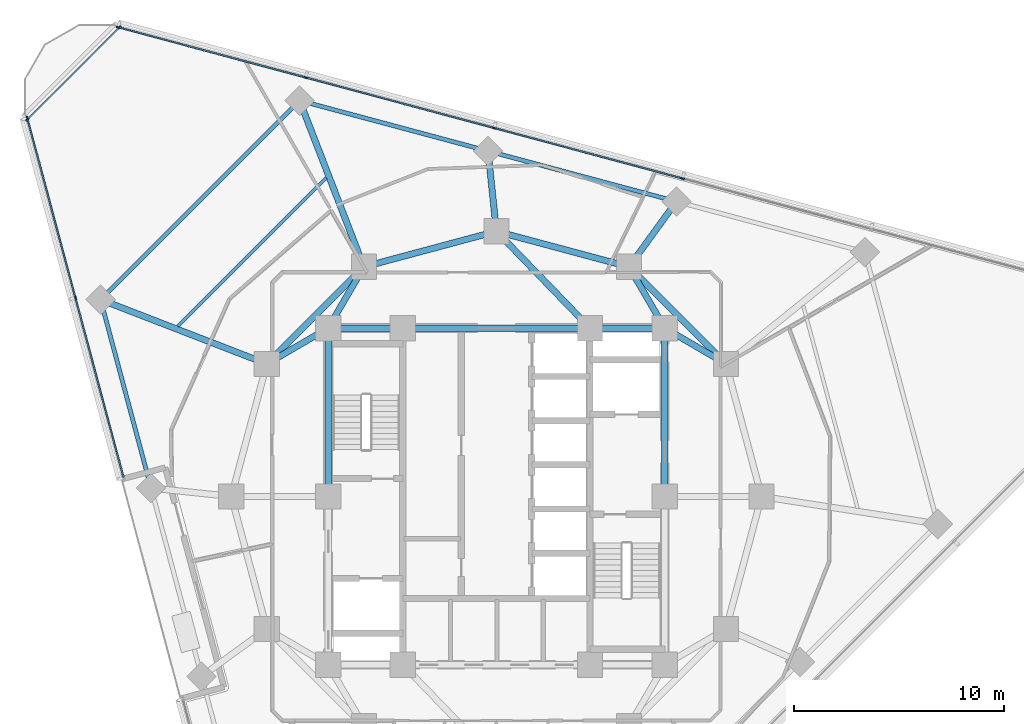
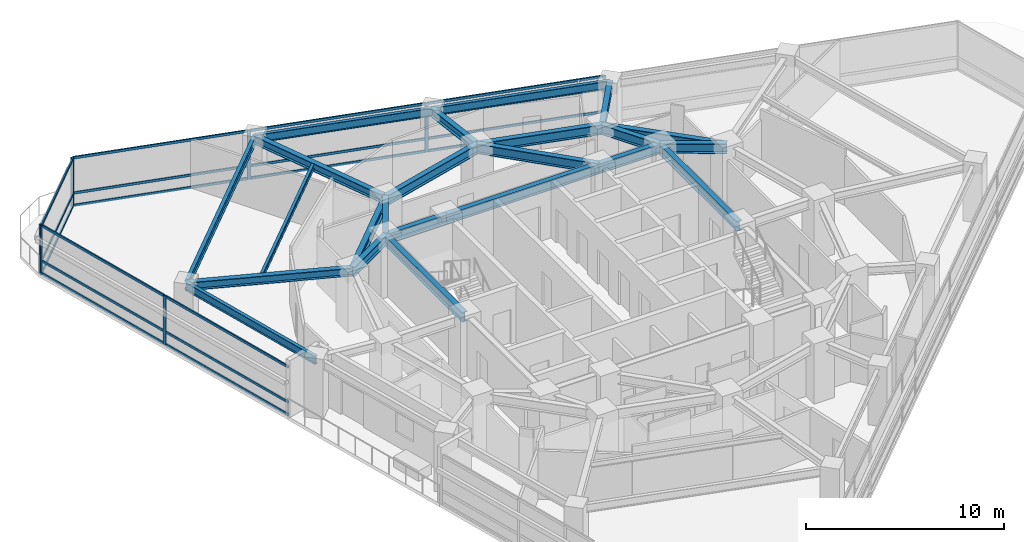
# One storey, part 4 of 14: 26 members, 23 beams, 3 elements without a shape of their own.
"""IFC4 building model written with IfcOpenShell, lengths in metres."""

from ifc_helpers import new_model, si_unit, direction, frame, origin, origin_2d, place, context, subcontext, project, spatial, rectangle, i_section, extrude, material, layer, layer_set, material_profile, profile_set, type_object, element, aggregate, save


model = new_model("IFC4")

# Units and contexts
model_context = context("Model", 3, precision=1e-05, world=origin(), true_north=direction((0.0, 1.0)))
body_context = subcontext(model_context, "Body", "Model", "MODEL_VIEW")
ifc_project = project(units=[si_unit("LENGTHUNIT", "METRE"), si_unit("AREAUNIT", "SQUARE_METRE"), si_unit("VOLUMEUNIT", "CUBIC_METRE"), si_unit("PLANEANGLEUNIT", "RADIAN"), si_unit("MASSUNIT", "GRAM", prefix="KILO")], contexts=[model_context])

# Site, building, storey
site_placement = place(None, origin())
site = spatial("IfcSite", under=ifc_project, at=site_placement, CompositionType="ELEMENT")
building_placement = place(site_placement, origin())
building = spatial("IfcBuilding", under=site, at=building_placement, Name="Terralouvre Media Tower", CompositionType="ELEMENT")
storey_placement = place(building_placement, frame((0.0, 0.0, 206.39990234375)))
storey = spatial("IfcBuildingStorey", under=building, at=storey_placement, Name="L53", CompositionType="ELEMENT", Elevation=206.39990234375)

# Beam
ifc_material_1 = material(Name="Structural steel S355J2", Category="steel")
ifc_material_profile_1 = material_profile(ifc_material_1, i_section(OverallWidth=0.159912109375, OverallDepth=0.330078125, WebThickness=0.007568359375, FlangeThickness=0.011474609375, at=origin_2d()), Name="IPE 330")
ifc_profile_set_1 = profile_set([ifc_material_profile_1], Name="Structural steel S355J2")
beam_type_1 = type_object("IfcBeamType", Name="Composite Floor Joist J-IPE330 (IPE 330)", PredefinedType="JOIST", material=ifc_profile_set_1)
beam_1_placement = place(storey_placement, frame((-8.095947265625, 15.14453125, 3.335205078125), z_axis=(-0.707106781187, -0.707106781187, 0.0), x_axis=(0.707106781187, -0.707106781187, 0.0)))
element("IfcBeam", 1, at=beam_1_placement, inside=storey, type_object=beam_type_1, Name="L53 Framing Beam JT-L53-05", PredefinedType="JOIST", context=body_context, shape_type="SweptSolid", body=[
    extrude(i_section(OverallWidth=0.159912109375, OverallDepth=0.330078125, WebThickness=0.007568359375, FlangeThickness=0.011474609375, at=origin_2d()), origin(), (0.0, 0.0, 1.0), 9.96826171875),
])

# Curtain wall, members
ifc_material_2 = material(Name="Low-iron laminated double glazing with solar-control coating", Category="glass")
ifc_layer_1 = layer(ifc_material_2, 0.1650390625, Name="Production Studio Tower Curtain Wall CW-03")
ifc_layer_set_1 = layer_set([ifc_layer_1], Name="Low-iron laminated double glazing with solar-control coating")
curtain_wall_type_1 = type_object("IfcCurtainWallType", Name="Production Studio Tower Curtain Wall CW-03", PredefinedType="NOTDEFINED", material=ifc_layer_set_1)
curtain_wall_1_placement = place(storey_placement, origin())
curtain_wall_1 = element("IfcCurtainWall", 2, at=curtain_wall_1_placement, inside=storey, type_object=curtain_wall_type_1, Name="L53 Facade Curtain Wall F1", PredefinedType="NOTDEFINED")
ifc_material_3 = material(Name="Anodised extruded aluminium 6063-T6", Category="aluminium")
ifc_material_profile_2 = material_profile(ifc_material_3, rectangle(XDim=0.074951171875, YDim=0.14990234375, at=origin_2d()), Name="ALU 75x150")
ifc_profile_set_2 = profile_set([ifc_material_profile_2], Name="Anodised extruded aluminium 6063-T6")
member_type_1 = type_object("IfcMemberType", Name="Curtain-Wall Horizontal Transom TR-150", PredefinedType="USERDEFINED", material=ifc_profile_set_2)
member_1_placement = place(storey_placement, frame((8.8115234375, 15.117431640625, 0.03759765625), z_axis=(-0.965926723605, 0.25881569625, 0.0), x_axis=(-0.25881569625, -0.965926723605, 0.0)))
member_1 = element("IfcMember", 3, at=member_1_placement, type_object=member_type_1, Name="CW-03 transom 3.1", ObjectType="TRANSOM", PredefinedType="USERDEFINED", context=body_context, shape_type="SweptSolid", body=[
    extrude(rectangle(XDim=0.074951171875, YDim=0.14990234375, at=origin_2d()), origin(), (0.0, 0.0, 1.0), 9.197265625),
])
member_2_placement = place(storey_placement, frame((8.8115234375, 15.117431640625, 0.800048828125), z_axis=(-0.965926723605, 0.25881569625, 0.0), x_axis=(-0.25881569625, -0.965926723605, 0.0)))
member_2 = element("IfcMember", 4, at=member_2_placement, type_object=member_type_1, Name="CW-03 transom 3.2", ObjectType="TRANSOM", PredefinedType="USERDEFINED", context=body_context, shape_type="SweptSolid", body=[
    extrude(rectangle(XDim=0.074951171875, YDim=0.14990234375, at=origin_2d()), origin(), (0.0, 0.0, 1.0), 9.197265625),
])
member_3_placement = place(storey_placement, frame((8.8115234375, 15.117431640625, 2.962646484375), z_axis=(-0.965926723605, 0.25881569625, 0.0), x_axis=(-0.25881569625, -0.965926723605, 0.0)))
member_3 = element("IfcMember", 5, at=member_3_placement, type_object=member_type_1, Name="CW-03 transom 3.3", ObjectType="TRANSOM", PredefinedType="USERDEFINED", context=body_context, shape_type="SweptSolid", body=[
    extrude(rectangle(XDim=0.074951171875, YDim=0.14990234375, at=origin_2d()), origin(), (0.0, 0.0, 1.0), 9.197265625),
])
member_4_placement = place(storey_placement, frame((-0.14453125, 17.517333984375, 0.03759765625), z_axis=(-0.965926723605, 0.25881569625, 0.0), x_axis=(-0.25881569625, -0.965926723605, 0.0)))
member_4 = element("IfcMember", 6, at=member_4_placement, type_object=member_type_1, Name="CW-03 transom 4.1", ObjectType="TRANSOM", PredefinedType="USERDEFINED", context=body_context, shape_type="SweptSolid", body=[
    extrude(rectangle(XDim=0.074951171875, YDim=0.14990234375, at=origin_2d()), origin(), (0.0, 0.0, 1.0), 9.197265625),
])
member_5_placement = place(storey_placement, frame((-0.14453125, 17.517333984375, 0.800048828125), z_axis=(-0.965926723605, 0.25881569625, 0.0), x_axis=(-0.25881569625, -0.965926723605, 0.0)))
member_5 = element("IfcMember", 7, at=member_5_placement, type_object=member_type_1, Name="CW-03 transom 4.2", ObjectType="TRANSOM", PredefinedType="USERDEFINED", context=body_context, shape_type="SweptSolid", body=[
    extrude(rectangle(XDim=0.074951171875, YDim=0.14990234375, at=origin_2d()), origin(), (0.0, 0.0, 1.0), 9.197265625),
])
member_6_placement = place(storey_placement, frame((-0.14453125, 17.517333984375, 2.962646484375), z_axis=(-0.965926723605, 0.25881569625, 0.0), x_axis=(-0.25881569625, -0.965926723605, 0.0)))
member_6 = element("IfcMember", 8, at=member_6_placement, type_object=member_type_1, Name="CW-03 transom 4.3", ObjectType="TRANSOM", PredefinedType="USERDEFINED", context=body_context, shape_type="SweptSolid", body=[
    extrude(rectangle(XDim=0.074951171875, YDim=0.14990234375, at=origin_2d()), origin(), (0.0, 0.0, 1.0), 9.197265625),
])
member_7_placement = place(storey_placement, frame((-9.1005859375, 19.9169921875, 0.03759765625), z_axis=(-0.965927230856, 0.25881380313, 0.0), x_axis=(-0.25881380313, -0.965927230856, 0.0)))
member_7 = element("IfcMember", 9, at=member_7_placement, type_object=member_type_1, Name="CW-03 transom 5.1", ObjectType="TRANSOM", PredefinedType="USERDEFINED", context=body_context, shape_type="SweptSolid", body=[
    extrude(rectangle(XDim=0.074951171875, YDim=0.14990234375, at=origin_2d()), origin(), (0.0, 0.0, 1.0), 9.159423828125),
])
member_8_placement = place(storey_placement, frame((-9.1005859375, 19.9169921875, 0.800048828125), z_axis=(-0.965927230856, 0.25881380313, 0.0), x_axis=(-0.25881380313, -0.965927230856, 0.0)))
member_8 = element("IfcMember", 10, at=member_8_placement, type_object=member_type_1, Name="CW-03 transom 5.2", ObjectType="TRANSOM", PredefinedType="USERDEFINED", context=body_context, shape_type="SweptSolid", body=[
    extrude(rectangle(XDim=0.074951171875, YDim=0.14990234375, at=origin_2d()), origin(), (0.0, 0.0, 1.0), 9.159423828125),
])
member_9_placement = place(storey_placement, frame((-9.1005859375, 19.9169921875, 2.962646484375), z_axis=(-0.965927230856, 0.25881380313, 0.0), x_axis=(-0.25881380313, -0.965927230856, 0.0)))
member_9 = element("IfcMember", 11, at=member_9_placement, type_object=member_type_1, Name="CW-03 transom 5.3", ObjectType="TRANSOM", PredefinedType="USERDEFINED", context=body_context, shape_type="SweptSolid", body=[
    extrude(rectangle(XDim=0.074951171875, YDim=0.14990234375, at=origin_2d()), origin(), (0.0, 0.0, 1.0), 9.159423828125),
])

curtain_wall_2_placement = place(storey_placement, origin())
curtain_wall_2 = element("IfcCurtainWall", 12, at=curtain_wall_2_placement, inside=storey, type_object=curtain_wall_type_1, Name="L53 Left Flank Curtain Wall F2", PredefinedType="NOTDEFINED")
member_10_placement = place(storey_placement, frame((-22.28759765625, 17.947998046875, 0.03759765625), z_axis=(0.258817186823, -0.965926324212, 0.0), x_axis=(0.965926324212, 0.258817186823, 0.0)))
member_10 = element("IfcMember", 13, at=member_10_placement, type_object=member_type_1, Name="CW-03 transom 1.1", ObjectType="TRANSOM", PredefinedType="USERDEFINED", context=body_context, shape_type="SweptSolid", body=[
    extrude(rectangle(XDim=0.074951171875, YDim=0.14990234375, at=origin_2d()), origin(), (0.0, 0.0, 1.0), 8.77734375),
])
member_11_placement = place(storey_placement, frame((-22.28759765625, 17.947998046875, 0.800048828125), z_axis=(0.258817186823, -0.965926324212, 0.0), x_axis=(0.965926324212, 0.258817186823, 0.0)))
member_11 = element("IfcMember", 14, at=member_11_placement, type_object=member_type_1, Name="CW-03 transom 1.2", ObjectType="TRANSOM", PredefinedType="USERDEFINED", context=body_context, shape_type="SweptSolid", body=[
    extrude(rectangle(XDim=0.074951171875, YDim=0.14990234375, at=origin_2d()), origin(), (0.0, 0.0, 1.0), 8.77734375),
])
member_12_placement = place(storey_placement, frame((-22.28759765625, 17.947998046875, 2.962646484375), z_axis=(0.258817186823, -0.965926324212, 0.0), x_axis=(0.965926324212, 0.258817186823, 0.0)))
member_12 = element("IfcMember", 15, at=member_12_placement, type_object=member_type_1, Name="CW-03 transom 1.3", ObjectType="TRANSOM", PredefinedType="USERDEFINED", context=body_context, shape_type="SweptSolid", body=[
    extrude(rectangle(XDim=0.074951171875, YDim=0.14990234375, at=origin_2d()), origin(), (0.0, 0.0, 1.0), 8.77734375),
])
member_13_placement = place(storey_placement, frame((-19.99658203125, 9.397216796875, 0.03759765625), z_axis=(0.258810233336, -0.965928187352, 0.0), x_axis=(0.965928187352, 0.258810233336, 0.0)))
member_13 = element("IfcMember", 16, at=member_13_placement, type_object=member_type_1, Name="CW-03 transom 2.1", ObjectType="TRANSOM", PredefinedType="USERDEFINED", context=body_context, shape_type="SweptSolid", body=[
    extrude(rectangle(XDim=0.074951171875, YDim=0.14990234375, at=origin_2d()), origin(), (0.0, 0.0, 1.0), 8.777587890625),
])
member_14_placement = place(storey_placement, frame((-19.99658203125, 9.397216796875, 0.800048828125), z_axis=(0.258810233336, -0.965928187352, 0.0), x_axis=(0.965928187352, 0.258810233336, 0.0)))
member_14 = element("IfcMember", 17, at=member_14_placement, type_object=member_type_1, Name="CW-03 transom 2.2", ObjectType="TRANSOM", PredefinedType="USERDEFINED", context=body_context, shape_type="SweptSolid", body=[
    extrude(rectangle(XDim=0.074951171875, YDim=0.14990234375, at=origin_2d()), origin(), (0.0, 0.0, 1.0), 8.777587890625),
])
member_15_placement = place(storey_placement, frame((-19.99658203125, 9.397216796875, 2.962646484375), z_axis=(0.258810233336, -0.965928187352, 0.0), x_axis=(0.965928187352, 0.258810233336, 0.0)))
member_15 = element("IfcMember", 18, at=member_15_placement, type_object=member_type_1, Name="CW-03 transom 2.3", ObjectType="TRANSOM", PredefinedType="USERDEFINED", context=body_context, shape_type="SweptSolid", body=[
    extrude(rectangle(XDim=0.074951171875, YDim=0.14990234375, at=origin_2d()), origin(), (0.0, 0.0, 1.0), 8.777587890625),
])

ifc_material_4 = material(Name="Low-iron laminated double glazing with solar-control coating", Category="glass")
ifc_layer_2 = layer(ifc_material_4, 0.1650390625, Name="Rounded Wind-Corner Curved Glazing CW-04")
ifc_layer_set_2 = layer_set([ifc_layer_2], Name="Low-iron laminated double glazing with solar-control coating")
curtain_wall_type_2 = type_object("IfcCurtainWallType", Name="Rounded Wind-Corner Curved Glazing CW-04", PredefinedType="NOTDEFINED", material=ifc_layer_set_2)
curtain_wall_3_placement = place(storey_placement, origin())
curtain_wall_3 = element("IfcCurtainWall", 19, at=curtain_wall_3_placement, inside=storey, type_object=curtain_wall_type_2, Name="L53 Rounded Wind-Corner Curtain Wall C2", PredefinedType="NOTDEFINED")
member_16_placement = place(storey_placement, frame((-17.943603515625, 22.27099609375, 0.03759765625), z_axis=(-0.707106781187, -0.707106781187, 0.0), x_axis=(0.707106781187, -0.707106781187, 0.0)))
member_16 = element("IfcMember", 20, at=member_16_placement, type_object=member_type_1, Name="CW-04 transom 1.1", ObjectType="TRANSOM", PredefinedType="USERDEFINED", context=body_context, shape_type="SweptSolid", body=[
    extrude(rectangle(XDim=0.074951171875, YDim=0.14990234375, at=origin_2d()), origin(), (0.0, 0.0, 1.0), 6.119873046875),
])
member_17_placement = place(storey_placement, frame((-17.943603515625, 22.27099609375, 0.800048828125), z_axis=(-0.707106781187, -0.707106781187, 0.0), x_axis=(0.707106781187, -0.707106781187, 0.0)))
member_17 = element("IfcMember", 21, at=member_17_placement, type_object=member_type_1, Name="CW-04 transom 1.2", ObjectType="TRANSOM", PredefinedType="USERDEFINED", context=body_context, shape_type="SweptSolid", body=[
    extrude(rectangle(XDim=0.074951171875, YDim=0.14990234375, at=origin_2d()), origin(), (0.0, 0.0, 1.0), 6.119873046875),
])
member_18_placement = place(storey_placement, frame((-17.943603515625, 22.27099609375, 2.962646484375), z_axis=(-0.707106781187, -0.707106781187, 0.0), x_axis=(0.707106781187, -0.707106781187, 0.0)))
member_18 = element("IfcMember", 22, at=member_18_placement, type_object=member_type_1, Name="CW-04 transom 1.3", ObjectType="TRANSOM", PredefinedType="USERDEFINED", context=body_context, shape_type="SweptSolid", body=[
    extrude(rectangle(XDim=0.074951171875, YDim=0.14990234375, at=origin_2d()), origin(), (0.0, 0.0, 1.0), 6.119873046875),
])

# Member
ifc_material_5 = material(Name="Anodised extruded aluminium 6063-T6", Category="aluminium")
ifc_material_profile_3 = material_profile(ifc_material_5, rectangle(XDim=0.074951171875, YDim=0.179931640625, at=origin_2d()), Name="ALU 75x180")
ifc_profile_set_3 = profile_set([ifc_material_profile_3], Name="Anodised extruded aluminium 6063-T6")
member_type_2 = type_object("IfcMemberType", Name="Curtain-Wall Vertical Mullion ML-180", PredefinedType="MULLION", material=ifc_profile_set_3)
member_19_placement = place(storey_placement, frame((8.84765625, 15.10791015625, 0.0), z_axis=(0.0, 0.0, 1.0), x_axis=(-0.25881903342, -0.96592582942, 0.0)))
member_19 = element("IfcMember", 23, at=member_19_placement, type_object=member_type_2, Name="CW-03 mullion 3", PredefinedType="MULLION", context=body_context, shape_type="SweptSolid", body=[
    extrude(rectangle(XDim=0.074951171875, YDim=0.179931640625, at=origin_2d()), origin(), (0.0, 0.0, 1.0), 3.0),
])

member_20_placement = place(storey_placement, frame((-0.1083984375, 17.507568359375, 0.0), z_axis=(0.0, 0.0, 1.0), x_axis=(-0.25881903342, -0.96592582942, 0.0)))
member_20 = element("IfcMember", 24, at=member_20_placement, type_object=member_type_2, Name="CW-03 mullion 4", PredefinedType="MULLION", context=body_context, shape_type="SweptSolid", body=[
    extrude(rectangle(XDim=0.074951171875, YDim=0.179931640625, at=origin_2d()), origin(), (0.0, 0.0, 1.0), 3.0),
])

member_21_placement = place(storey_placement, frame((-9.064453125, 19.907470703125, 0.0), z_axis=(0.0, 0.0, 1.0), x_axis=(-0.25881903342, -0.96592582942, 0.0)))
member_21 = element("IfcMember", 25, at=member_21_placement, type_object=member_type_2, Name="CW-03 mullion 5", PredefinedType="MULLION", context=body_context, shape_type="SweptSolid", body=[
    extrude(rectangle(XDim=0.074951171875, YDim=0.179931640625, at=origin_2d()), origin(), (0.0, 0.0, 1.0), 3.0),
])

member_22_placement = place(storey_placement, frame((-17.984375, 22.29736328125, 0.0), z_axis=(0.0, 0.0, 1.0), x_axis=(-0.25881903342, -0.96592582942, 0.0)))
member_22 = element("IfcMember", 26, at=member_22_placement, type_object=member_type_2, Name="CW-03 mullion 6", PredefinedType="MULLION", context=body_context, shape_type="SweptSolid", body=[
    extrude(rectangle(XDim=0.074951171875, YDim=0.179931640625, at=origin_2d()), origin(), (0.0, 0.0, 1.0), 3.0),
])

aggregate(curtain_wall_1, [member_19, member_20, member_21, member_22, member_1, member_2, member_3, member_4, member_5, member_6, member_7, member_8, member_9])

member_23_placement = place(storey_placement, frame((-22.29736328125, 17.984375, 0.0), z_axis=(0.0, 0.0, 1.0), x_axis=(0.965925858669, 0.25881892426, 0.0)))
member_23 = element("IfcMember", 27, at=member_23_placement, type_object=member_type_2, Name="CW-03 mullion 1", PredefinedType="MULLION", context=body_context, shape_type="SweptSolid", body=[
    extrude(rectangle(XDim=0.074951171875, YDim=0.179931640625, at=origin_2d()), origin(), (0.0, 0.0, 1.0), 3.0),
])

member_24_placement = place(storey_placement, frame((-20.00634765625, 9.433349609375, 0.0), z_axis=(0.0, 0.0, 1.0), x_axis=(0.965925858669, 0.25881892426, 0.0)))
member_24 = element("IfcMember", 28, at=member_24_placement, type_object=member_type_2, Name="CW-03 mullion 2", PredefinedType="MULLION", context=body_context, shape_type="SweptSolid", body=[
    extrude(rectangle(XDim=0.074951171875, YDim=0.179931640625, at=origin_2d()), origin(), (0.0, 0.0, 1.0), 3.0),
])

aggregate(curtain_wall_2, [member_23, member_24, member_10, member_11, member_12, member_13, member_14, member_15])

member_25_placement = place(storey_placement, frame((-17.9169921875, 22.297607421875, 0.0), z_axis=(0.0, 0.0, 1.0), x_axis=(0.707106781187, -0.707106781187, 0.0)))
member_25 = element("IfcMember", 29, at=member_25_placement, type_object=member_type_2, Name="CW-04 mullion 1", PredefinedType="MULLION", context=body_context, shape_type="SweptSolid", body=[
    extrude(rectangle(XDim=0.074951171875, YDim=0.179931640625, at=origin_2d()), origin(), (0.0, 0.0, 1.0), 3.0),
])

member_26_placement = place(storey_placement, frame((-22.297607421875, 17.9169921875, 0.0), z_axis=(0.0, 0.0, 1.0), x_axis=(0.707106781187, -0.707106781187, 0.0)))
member_26 = element("IfcMember", 30, at=member_26_placement, type_object=member_type_2, Name="CW-04 mullion 2", PredefinedType="MULLION", context=body_context, shape_type="SweptSolid", body=[
    extrude(rectangle(XDim=0.074951171875, YDim=0.179931640625, at=origin_2d()), origin(), (0.0, 0.0, 1.0), 3.0),
])

aggregate(curtain_wall_3, [member_25, member_26, member_16, member_17, member_18])

# Beams
ifc_material_6 = material(Name="Structural steel S355J2", Category="steel")
ifc_material_profile_4 = material_profile(ifc_material_6, i_section(OverallWidth=0.199951171875, OverallDepth=0.5, WebThickness=0.01025390625, FlangeThickness=0.01611328125, at=origin_2d()), Name="IPE 500")
ifc_profile_set_4 = profile_set([ifc_material_profile_4], Name="Structural steel S355J2")
beam_type_2 = type_object("IfcBeamType", Name="Perimeter Spandrel Beam SPB-500 (IPE 500)", PredefinedType="SPANDREL", material=ifc_profile_set_4)
for number, where, z_axis, x_axis, name in (
    (31, (8.55517578125, 14.016357421875, 3.25), (-0.965928776458, 0.258808034669, 0.0), (-0.258808034669, -0.965928776458, 0.0), "L53 Framing Beam BM-L53-PR08"),
    (32, (-0.40087890625, 16.416015625, 3.25), (-0.965922193685, 0.258832601786, 0.0), (-0.258832601786, -0.965922193685, 0.0), "L53 Framing Beam BM-L53-PR09"),
):
    element("IfcBeam", number, at=place(storey_placement, frame(where, z_axis=z_axis, x_axis=x_axis)), inside=storey, type_object=beam_type_2, Name=name, PredefinedType="SPANDREL", context=body_context, shape_type="SweptSolid", body=[
        extrude(i_section(OverallWidth=0.199951171875, OverallDepth=0.5, WebThickness=0.01025390625, FlangeThickness=0.01611328125, at=origin_2d()), origin(), (0.0, 0.0, 1.0), 9.27197265625),
    ])
beam_2_placement = place(storey_placement, frame((-9.35693359375, 18.81591796875, 3.25), z_axis=(-0.707106781187, -0.707106781187, 0.0), x_axis=(0.707106781187, -0.707106781187, 0.0)))
element("IfcBeam", 33, at=beam_2_placement, inside=storey, type_object=beam_type_2, Name="L53 Framing Beam BM-L53-PR10", PredefinedType="SPANDREL", context=body_context, shape_type="SweptSolid", body=[
    extrude(i_section(OverallWidth=0.199951171875, OverallDepth=0.5, WebThickness=0.01025390625, FlangeThickness=0.01611328125, at=origin_2d()), origin(), (0.0, 0.0, 1.0), 13.376953125),
])
beam_3_placement = place(storey_placement, frame((-18.81591796875, 9.35693359375, 3.25), z_axis=(0.258832601786, -0.965922193685, 0.0), x_axis=(0.965922193685, 0.258832601786, 0.0)))
element("IfcBeam", 34, at=beam_3_placement, inside=storey, type_object=beam_type_2, Name="L53 Framing Beam BM-L53-PR11", PredefinedType="SPANDREL", context=body_context, shape_type="SweptSolid", body=[
    extrude(i_section(OverallWidth=0.199951171875, OverallDepth=0.5, WebThickness=0.01025390625, FlangeThickness=0.01611328125, at=origin_2d()), origin(), (0.0, 0.0, 1.0), 9.27197265625),
])
ifc_material_7 = material(Name="Structural steel S355J2", Category="steel")
ifc_material_profile_5 = material_profile(ifc_material_7, i_section(OverallWidth=0.300048828125, OverallDepth=0.5, WebThickness=0.014404296875, FlangeThickness=0.028076171875, at=origin_2d()), Name="HEB 500")
ifc_profile_set_5 = profile_set([ifc_material_profile_5], Name="Structural steel S355J2")
beam_type_3 = type_object("IfcBeamType", Name="Primary Floor Girder B-HEB500 (HEB 500)", PredefinedType="BEAM", material=ifc_profile_set_5)
beam_4_placement = place(storey_placement, frame((6.300048828125, 10.911865234375, 3.25), z_axis=(0.587713839807, 0.809068873767, 0.0), x_axis=(-0.809068873767, 0.587713839807, 0.0)))
element("IfcBeam", 35, at=beam_4_placement, inside=storey, type_object=beam_type_3, Name="L53 Framing Beam BM-L53-RD08", PredefinedType="BEAM", context=body_context, shape_type="SweptSolid", body=[
    extrude(i_section(OverallWidth=0.300048828125, OverallDepth=0.5, WebThickness=0.014404296875, FlangeThickness=0.028076171875, at=origin_2d()), origin(), (0.0, 0.0, 1.0), 3.837158203125),
])
beam_5_placement = place(storey_placement, frame((0.0, 12.60009765625, 3.25), z_axis=(-0.104479425033, 0.994527048272, 0.0), x_axis=(-0.994527048272, -0.104479425033, 0.0)))
element("IfcBeam", 36, at=beam_5_placement, inside=storey, type_object=beam_type_3, Name="L53 Framing Beam BM-L53-RD09", PredefinedType="BEAM", context=body_context, shape_type="SweptSolid", body=[
    extrude(i_section(OverallWidth=0.300048828125, OverallDepth=0.5, WebThickness=0.014404296875, FlangeThickness=0.028076171875, at=origin_2d()), origin(), (0.0, 0.0, 1.0), 3.8369140625),
])
for number, where, z_axis, x_axis, name in (
    (37, (-6.300048828125, 10.911865234375, 3.25), (-0.360712022835, 0.932677241377, 0.0), (-0.932677241377, -0.360712022835, 0.0), "L53 Framing Beam BM-L53-RD10"),
    (38, (-10.911865234375, 6.300048828125, 3.25), (-0.932677241377, 0.360712022835, 0.0), (-0.360712022835, -0.932677241377, 0.0), "L53 Framing Beam BM-L53-RD11"),
):
    element("IfcBeam", number, at=place(storey_placement, frame(where, z_axis=z_axis, x_axis=x_axis)), inside=storey, type_object=beam_type_3, Name=name, PredefinedType="BEAM", context=body_context, shape_type="SweptSolid", body=[
        extrude(i_section(OverallWidth=0.300048828125, OverallDepth=0.5, WebThickness=0.014404296875, FlangeThickness=0.028076171875, at=origin_2d()), origin(), (0.0, 0.0, 1.0), 8.474609375),
    ])
ifc_material_8 = material(Name="Structural steel S460M", Category="steel")
ifc_material_profile_6 = material_profile(ifc_material_8, i_section(OverallWidth=0.300048828125, OverallDepth=0.60009765625, WebThickness=0.015380859375, FlangeThickness=0.030029296875, at=origin_2d()), Name="HEB 600")
ifc_profile_set_6 = profile_set([ifc_material_profile_6], Name="Structural steel S460M")
beam_type_4 = type_object("IfcBeamType", Name="Primary Floor Girder B-HEB600 (HEB 600)", PredefinedType="BEAM", material=ifc_profile_set_6)
beam_6_placement = place(storey_placement, frame((8.0, 0.0, 3.2001953125), z_axis=(0.0, 1.0, 0.0), x_axis=(-1.0, 0.0, 0.0)))
element("IfcBeam", 39, at=beam_6_placement, inside=storey, type_object=beam_type_4, Name="L53 Framing Beam BM-L53-CPR05", PredefinedType="BEAM", context=body_context, shape_type="SweptSolid", body=[
    extrude(i_section(OverallWidth=0.300048828125, OverallDepth=0.60009765625, WebThickness=0.015380859375, FlangeThickness=0.030029296875, at=origin_2d()), origin(), (0.0, 0.0, 1.0), 8.0),
])
beam_7_placement = place(storey_placement, frame((8.0, 8.0, 3.2001953125), z_axis=(-1.0, 0.0, 0.0), x_axis=(0.0, -1.0, 0.0)))
element("IfcBeam", 40, at=beam_7_placement, inside=storey, type_object=beam_type_4, Name="L53 Framing Beam BM-L53-CPR06", PredefinedType="BEAM", context=body_context, shape_type="SweptSolid", body=[
    extrude(i_section(OverallWidth=0.300048828125, OverallDepth=0.60009765625, WebThickness=0.015380859375, FlangeThickness=0.030029296875, at=origin_2d()), origin(), (0.0, 0.0, 1.0), 3.550048828125),
])
beam_8_placement = place(storey_placement, frame((4.449951171875, 8.0, 3.2001953125), z_axis=(-1.0, 0.0, 0.0), x_axis=(0.0, -1.0, 0.0)))
element("IfcBeam", 41, at=beam_8_placement, inside=storey, type_object=beam_type_4, Name="L53 Framing Beam BM-L53-CPR07", PredefinedType="BEAM", context=body_context, shape_type="SweptSolid", body=[
    extrude(i_section(OverallWidth=0.300048828125, OverallDepth=0.60009765625, WebThickness=0.015380859375, FlangeThickness=0.030029296875, at=origin_2d()), origin(), (0.0, 0.0, 1.0), 8.89990234375),
])
beam_9_placement = place(storey_placement, frame((-4.449951171875, 8.0, 3.2001953125), z_axis=(-1.0, 0.0, 0.0), x_axis=(0.0, -1.0, 0.0)))
element("IfcBeam", 42, at=beam_9_placement, inside=storey, type_object=beam_type_4, Name="L53 Framing Beam BM-L53-CPR08", PredefinedType="BEAM", context=body_context, shape_type="SweptSolid", body=[
    extrude(i_section(OverallWidth=0.300048828125, OverallDepth=0.60009765625, WebThickness=0.015380859375, FlangeThickness=0.030029296875, at=origin_2d()), origin(), (0.0, 0.0, 1.0), 3.550048828125),
])
beam_10_placement = place(storey_placement, frame((-8.0, 8.0, 3.2001953125), z_axis=(0.0, -1.0, 0.0), x_axis=(1.0, 0.0, 0.0)))
element("IfcBeam", 43, at=beam_10_placement, inside=storey, type_object=beam_type_4, Name="L53 Framing Beam BM-L53-CPR09", PredefinedType="BEAM", context=body_context, shape_type="SweptSolid", body=[
    extrude(i_section(OverallWidth=0.300048828125, OverallDepth=0.60009765625, WebThickness=0.015380859375, FlangeThickness=0.030029296875, at=origin_2d()), origin(), (0.0, 0.0, 1.0), 8.0),
])
beam_11_placement = place(storey_placement, frame((10.911865234375, 6.300048828125, 3.2001953125), z_axis=(-0.707106781187, 0.707106781187, 0.0), x_axis=(-0.707106781187, -0.707106781187, 0.0)))
element("IfcBeam", 44, at=beam_11_placement, inside=storey, type_object=beam_type_4, Name="L53 Framing Beam BM-L53-MR07", PredefinedType="BEAM", context=body_context, shape_type="SweptSolid", body=[
    extrude(i_section(OverallWidth=0.300048828125, OverallDepth=0.60009765625, WebThickness=0.015380859375, FlangeThickness=0.030029296875, at=origin_2d()), origin(), (0.0, 0.0, 1.0), 6.52197265625),
])
for number, where, z_axis, x_axis, name in (
    (45, (6.300048828125, 10.911865234375, 3.2001953125), (-0.965920481897, 0.258838989821, 0.0), (-0.258838989821, -0.965920481897, 0.0), "L53 Framing Beam BM-L53-MR08"),
    (46, (0.0, 12.60009765625, 3.2001953125), (-0.965920481897, -0.258838989821, 0.0), (0.258838989821, -0.965920481897, 0.0), "L53 Framing Beam BM-L53-MR09"),
):
    element("IfcBeam", number, at=place(storey_placement, frame(where, z_axis=z_axis, x_axis=x_axis)), inside=storey, type_object=beam_type_4, Name=name, PredefinedType="BEAM", context=body_context, shape_type="SweptSolid", body=[
        extrude(i_section(OverallWidth=0.300048828125, OverallDepth=0.60009765625, WebThickness=0.015380859375, FlangeThickness=0.030029296875, at=origin_2d()), origin(), (0.0, 0.0, 1.0), 6.522216796875),
    ])
beam_12_placement = place(storey_placement, frame((-6.300048828125, 10.911865234375, 3.2001953125), z_axis=(-0.707106781187, -0.707106781187, 0.0), x_axis=(0.707106781187, -0.707106781187, 0.0)))
element("IfcBeam", 47, at=beam_12_placement, inside=storey, type_object=beam_type_4, Name="L53 Framing Beam BM-L53-MR10", PredefinedType="BEAM", context=body_context, shape_type="SweptSolid", body=[
    extrude(i_section(OverallWidth=0.300048828125, OverallDepth=0.60009765625, WebThickness=0.015380859375, FlangeThickness=0.030029296875, at=origin_2d()), origin(), (0.0, 0.0, 1.0), 6.52197265625),
])
for number, where, z_axis, x_axis, name in (
    (48, (8.0, 8.0, 3.2001953125), (0.863602894532, -0.504172629717, 0.0), (0.504172629717, 0.863602894532, 0.0), "L53 Framing Beam BM-L53-CM07"),
    (49, (8.0, 8.0, 3.2001953125), (-0.504172629717, 0.863602894532, 0.0), (-0.863602894532, -0.504172629717, 0.0), "L53 Framing Beam BM-L53-CM08"),
):
    element("IfcBeam", number, at=place(storey_placement, frame(where, z_axis=z_axis, x_axis=x_axis)), inside=storey, type_object=beam_type_4, Name=name, PredefinedType="BEAM", context=body_context, shape_type="SweptSolid", body=[
        extrude(i_section(OverallWidth=0.300048828125, OverallDepth=0.60009765625, WebThickness=0.015380859375, FlangeThickness=0.030029296875, at=origin_2d()), origin(), (0.0, 0.0, 1.0), 3.371826171875),
    ])
beam_13_placement = place(storey_placement, frame((4.449951171875, 8.0, 3.2001953125), z_axis=(-0.695279715726, 0.718739255155, 0.0), x_axis=(-0.718739255155, -0.695279715726, 0.0)))
element("IfcBeam", 50, at=beam_13_placement, inside=storey, type_object=beam_type_4, Name="L53 Framing Beam BM-L53-CM09", PredefinedType="BEAM", context=body_context, shape_type="SweptSolid", body=[
    extrude(i_section(OverallWidth=0.300048828125, OverallDepth=0.60009765625, WebThickness=0.015380859375, FlangeThickness=0.030029296875, at=origin_2d()), origin(), (0.0, 0.0, 1.0), 6.400146484375),
])
for number, where, z_axis, x_axis, name in (
    (51, (-8.0, 8.0, 3.2001953125), (0.504172629717, 0.863602894532, 0.0), (-0.863602894532, 0.504172629717, 0.0), "L53 Framing Beam BM-L53-CM10"),
    (52, (-8.0, 8.0, 3.2001953125), (-0.863602894532, -0.504172629717, 0.0), (0.504172629717, -0.863602894532, 0.0), "L53 Framing Beam BM-L53-CM11"),
):
    element("IfcBeam", number, at=place(storey_placement, frame(where, z_axis=z_axis, x_axis=x_axis)), inside=storey, type_object=beam_type_4, Name=name, PredefinedType="BEAM", context=body_context, shape_type="SweptSolid", body=[
        extrude(i_section(OverallWidth=0.300048828125, OverallDepth=0.60009765625, WebThickness=0.015380859375, FlangeThickness=0.030029296875, at=origin_2d()), origin(), (0.0, 0.0, 1.0), 3.371826171875),
    ])

save(model, "model.ifc")
